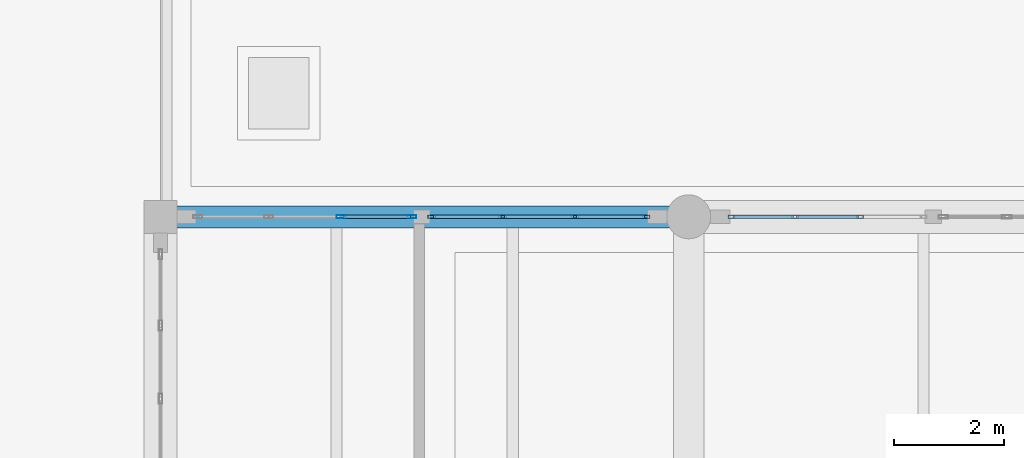
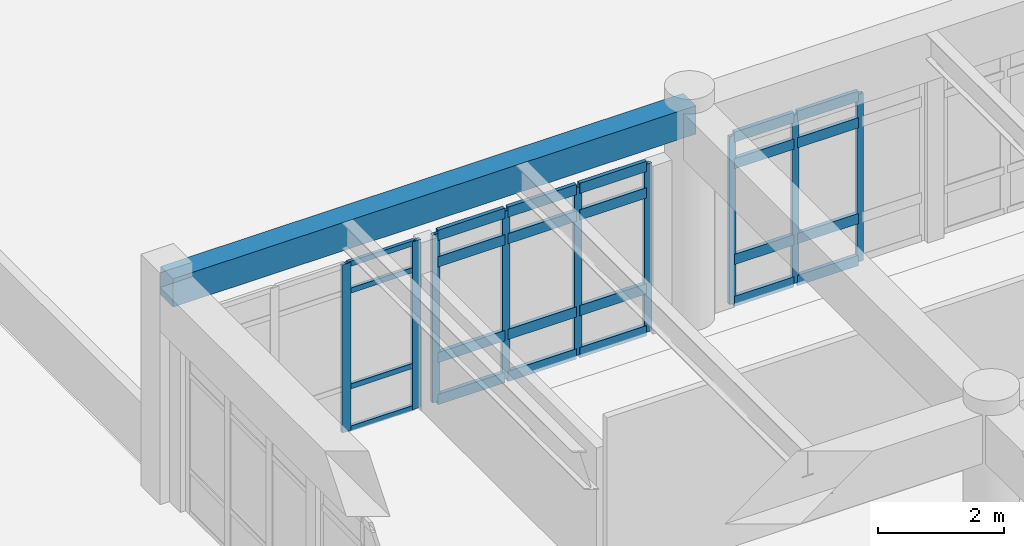
# One storey, part 58 of 109: 33 members, 1 beam, 3 elements without a shape of their own.
"""IFC4 building model written with IfcOpenShell, lengths in metres."""

from ifc_helpers import new_model, si_unit, direction, frame, origin, origin_2d, place, context, subcontext, project, spatial, rectangle, hollow_rectangle, extrude, material, layer, layer_set, material_profile, profile_set, type_object, element, aggregate, save


model = new_model("IFC4")

# Units and contexts
model_context = context("Model", 3, precision=1e-05, world=origin(), true_north=direction((0.0, 1.0)))
body_context = subcontext(model_context, "Body", "Model", "MODEL_VIEW")
ifc_project = project(units=[si_unit("LENGTHUNIT", "METRE"), si_unit("AREAUNIT", "SQUARE_METRE"), si_unit("VOLUMEUNIT", "CUBIC_METRE"), si_unit("PLANEANGLEUNIT", "RADIAN"), si_unit("MASSUNIT", "GRAM", prefix="KILO")], contexts=[model_context])

# Site, building, storey
site_placement = place(None, origin())
site = spatial("IfcSite", under=ifc_project, at=site_placement, CompositionType="ELEMENT")
building_placement = place(site_placement, origin())
building = spatial("IfcBuilding", under=site, at=building_placement, Name="Fikremerkos Civic Library", CompositionType="ELEMENT")
storey_placement = place(building_placement, frame((0.0, 0.0, 5.39990234375)))
storey = spatial("IfcBuildingStorey", under=building, at=storey_placement, Name="L01", CompositionType="ELEMENT", Elevation=5.39990234375)

# Curtain wall, members
ifc_material_1 = material(Name="Anodized aluminium Frame", Category="aluminium")
ifc_layer_1 = layer(ifc_material_1, 0.159912109375, Name="Anodized aluminium Frame")
ifc_layer_set_1 = layer_set([ifc_layer_1], Name="Anodized aluminium Frame")
curtain_wall_type_1 = type_object("IfcCurtainWallType", Name="Unitised curtain wall CW-14 4100x3200", PredefinedType="USERDEFINED", material=ifc_layer_set_1)
curtain_wall_1_placement = place(storey_placement, origin())
curtain_wall_1 = element("IfcCurtainWall", 1, at=curtain_wall_1_placement, inside=storey, type_object=curtain_wall_type_1, Name="Unitised curtain wall CW-14 L01 #104", ObjectType="UNITISED CURTAIN WALL", PredefinedType="USERDEFINED")
ifc_material_profile_1 = material_profile(ifc_material_1, hollow_rectangle(XDim=0.06005859375, YDim=0.159912109375, WallThickness=0.00390625, at=origin_2d()), Name="ALU 160x60x4")
ifc_profile_set_1 = profile_set([ifc_material_profile_1], Name="Anodized aluminium Frame")
member_type_1 = type_object("IfcMemberType", Name="Curtain mullion CWM-02 ALU 160x60x4", PredefinedType="MULLION", material=ifc_profile_set_1)
member_1_placement = place(storey_placement, frame((128.082763671875, 40.800048828125, 0.0), z_axis=(0.0, 0.0, 1.0), x_axis=(0.0, 1.0, 0.0)))
member_1 = element("IfcMember", 2, at=member_1_placement, type_object=member_type_1, Name="CW-14 mullion 3", PredefinedType="MULLION", context=body_context, shape_type="SweptSolid", body=[
    extrude(hollow_rectangle(XDim=0.06005859375, YDim=0.159912109375, WallThickness=0.00390625, at=origin_2d()), origin(), (0.0, 0.0, 1.0), 3.260009765625),
])
member_2_placement = place(storey_placement, frame((129.3701171875, 40.800048828125, 0.0), z_axis=(0.0, 0.0, 1.0), x_axis=(0.0, 1.0, 0.0)))
member_2 = element("IfcMember", 3, at=member_2_placement, type_object=member_type_1, Name="CW-14 mullion 4", PredefinedType="MULLION", context=body_context, shape_type="SweptSolid", body=[
    extrude(hollow_rectangle(XDim=0.06005859375, YDim=0.159912109375, WallThickness=0.00390625, at=origin_2d()), origin(), (0.0, 0.0, 1.0), 3.260009765625),
])

ifc_layer_2 = layer(ifc_material_1, 0.159912109375, Name="Anodized aluminium Frame")
ifc_layer_set_2 = layer_set([ifc_layer_2], Name="Anodized aluminium Frame")
curtain_wall_type_2 = type_object("IfcCurtainWallType", Name="Unitised curtain wall CW-15 2900x3600", PredefinedType="USERDEFINED", material=ifc_layer_set_2)
curtain_wall_2_placement = place(storey_placement, origin())
curtain_wall_2 = element("IfcCurtainWall", 4, at=curtain_wall_2_placement, inside=storey, type_object=curtain_wall_type_2, Name="Unitised curtain wall CW-15 L01 #105", ObjectType="UNITISED CURTAIN WALL", PredefinedType="USERDEFINED")
ifc_material_profile_2 = material_profile(ifc_material_1, hollow_rectangle(XDim=0.06005859375, YDim=0.139892578125, WallThickness=0.00390625, at=origin_2d()), Name="ALU 140x60x4")
ifc_profile_set_2 = profile_set([ifc_material_profile_2], Name="Anodized aluminium Frame")
member_type_2 = type_object("IfcMemberType", Name="Curtain mullion CWM-03 ALU 140x60x4", PredefinedType="MULLION", material=ifc_profile_set_2)
member_3_placement = place(storey_placement, frame((129.72998046875, 40.800048828125, 0.0), z_axis=(0.0, 0.0, 1.0), x_axis=(0.0, 1.0, 0.0)))
member_3 = element("IfcMember", 5, at=member_3_placement, type_object=member_type_2, Name="CW-15 mullion 1", PredefinedType="MULLION", context=body_context, shape_type="SweptSolid", body=[
    extrude(hollow_rectangle(XDim=0.06005859375, YDim=0.139892578125, WallThickness=0.00390625, at=origin_2d()), origin(), (0.0, 0.0, 1.0), 3.260009765625),
])
member_4_placement = place(storey_placement, frame((131.017333984375, 40.800048828125, 0.0), z_axis=(0.0, 0.0, 1.0), x_axis=(0.0, 1.0, 0.0)))
member_4 = element("IfcMember", 6, at=member_4_placement, type_object=member_type_2, Name="CW-15 mullion 2", PredefinedType="MULLION", context=body_context, shape_type="SweptSolid", body=[
    extrude(hollow_rectangle(XDim=0.06005859375, YDim=0.139892578125, WallThickness=0.00390625, at=origin_2d()), origin(), (0.0, 0.0, 1.0), 3.260009765625),
])
member_5_placement = place(storey_placement, frame((132.334716796875, 40.800048828125, 0.0), z_axis=(0.0, 0.0, 1.0), x_axis=(0.0, 1.0, 0.0)))
member_5 = element("IfcMember", 7, at=member_5_placement, type_object=member_type_2, Name="CW-15 mullion 3", PredefinedType="MULLION", context=body_context, shape_type="SweptSolid", body=[
    extrude(hollow_rectangle(XDim=0.06005859375, YDim=0.139892578125, WallThickness=0.00390625, at=origin_2d()), origin(), (0.0, 0.0, 1.0), 3.260009765625),
])
member_6_placement = place(storey_placement, frame((133.6220703125, 40.800048828125, 0.0), z_axis=(0.0, 0.0, 1.0), x_axis=(0.0, 1.0, 0.0)))
member_6 = element("IfcMember", 8, at=member_6_placement, type_object=member_type_2, Name="CW-15 mullion 4", PredefinedType="MULLION", context=body_context, shape_type="SweptSolid", body=[
    extrude(hollow_rectangle(XDim=0.06005859375, YDim=0.139892578125, WallThickness=0.00390625, at=origin_2d()), origin(), (0.0, 0.0, 1.0), 3.260009765625),
])

ifc_layer_3 = layer(ifc_material_1, 0.159912109375, Name="Anodized aluminium Frame")
ifc_layer_set_3 = layer_set([ifc_layer_3], Name="Anodized aluminium Frame")
curtain_wall_type_3 = type_object("IfcCurtainWallType", Name="Unitised curtain wall CW-16 3100x4100", PredefinedType="USERDEFINED", material=ifc_layer_set_3)
curtain_wall_3_placement = place(storey_placement, origin())
curtain_wall_3 = element("IfcCurtainWall", 9, at=curtain_wall_3_placement, inside=storey, type_object=curtain_wall_type_3, Name="Unitised curtain wall CW-16 L01 #106", ObjectType="UNITISED CURTAIN WALL", PredefinedType="USERDEFINED")
ifc_material_profile_3 = material_profile(ifc_material_1, hollow_rectangle(XDim=0.06005859375, YDim=0.1201171875, WallThickness=0.00390625, at=origin_2d()), Name="ALU 120x60x4")
ifc_profile_set_3 = profile_set([ifc_material_profile_3], Name="Anodized aluminium Frame")
member_type_3 = type_object("IfcMemberType", Name="Curtain mullion CWM-04 ALU 120x60x4", PredefinedType="MULLION", material=ifc_profile_set_3)
member_7_placement = place(storey_placement, frame((135.177978515625, 40.800048828125, 0.0), z_axis=(0.0, 0.0, 1.0), x_axis=(0.0, 1.0, 0.0)))
member_7 = element("IfcMember", 10, at=member_7_placement, type_object=member_type_3, Name="CW-16 mullion 1", PredefinedType="MULLION", context=body_context, shape_type="SweptSolid", body=[
    extrude(hollow_rectangle(XDim=0.06005859375, YDim=0.1201171875, WallThickness=0.00390625, at=origin_2d()), origin(), (0.0, 0.0, 1.0), 3.260009765625),
])
member_8_placement = place(storey_placement, frame((136.331787109375, 40.800048828125, 0.0), z_axis=(0.0, 0.0, 1.0), x_axis=(0.0, 1.0, 0.0)))
member_8 = element("IfcMember", 11, at=member_8_placement, type_object=member_type_3, Name="CW-16 mullion 2", PredefinedType="MULLION", context=body_context, shape_type="SweptSolid", body=[
    extrude(hollow_rectangle(XDim=0.06005859375, YDim=0.1201171875, WallThickness=0.00390625, at=origin_2d()), origin(), (0.0, 0.0, 1.0), 3.260009765625),
])
member_9_placement = place(storey_placement, frame((137.515625, 40.800048828125, 0.0), z_axis=(0.0, 0.0, 1.0), x_axis=(0.0, 1.0, 0.0)))
member_9 = element("IfcMember", 12, at=member_9_placement, type_object=member_type_3, Name="CW-16 mullion 3", PredefinedType="MULLION", context=body_context, shape_type="SweptSolid", body=[
    extrude(hollow_rectangle(XDim=0.06005859375, YDim=0.1201171875, WallThickness=0.00390625, at=origin_2d()), origin(), (0.0, 0.0, 1.0), 3.260009765625),
])

# Member
ifc_material_profile_4 = material_profile(ifc_material_1, hollow_rectangle(XDim=0.06005859375, YDim=0.10009765625, WallThickness=0.00390625, at=origin_2d()), Name="ALU 100x60x4")
ifc_profile_set_4 = profile_set([ifc_material_profile_4], Name="Anodized aluminium Frame")
member_type_4 = type_object("IfcMemberType", Name="Curtain transom CWT-03 ALU 100x60x4", PredefinedType="USERDEFINED", material=ifc_profile_set_4)
member_10_placement = place(storey_placement, frame((128.112548828125, 40.800048828125, 0.030029296875), z_axis=(1.0, 0.0, 0.0), x_axis=(0.0, 1.0, 0.0)))
member_10 = element("IfcMember", 13, at=member_10_placement, type_object=member_type_4, Name="CW-14 transom 3.1", ObjectType="TRANSOM", PredefinedType="USERDEFINED", context=body_context, shape_type="SweptSolid", body=[
    extrude(hollow_rectangle(XDim=0.06005859375, YDim=0.10009765625, WallThickness=0.00390625, at=origin_2d()), origin(), (0.0, 0.0, 1.0), 1.2275390625),
])

member_11_placement = place(storey_placement, frame((128.112548828125, 40.800048828125, 0.85009765625), z_axis=(1.0, 0.0, 0.0), x_axis=(0.0, 1.0, 0.0)))
member_11 = element("IfcMember", 14, at=member_11_placement, type_object=member_type_4, Name="CW-14 transom 3.2", ObjectType="TRANSOM", PredefinedType="USERDEFINED", context=body_context, shape_type="SweptSolid", body=[
    extrude(hollow_rectangle(XDim=0.06005859375, YDim=0.10009765625, WallThickness=0.00390625, at=origin_2d()), origin(), (0.0, 0.0, 1.0), 1.2275390625),
])

member_12_placement = place(storey_placement, frame((128.112548828125, 40.800048828125, 2.710205078125), z_axis=(1.0, 0.0, 0.0), x_axis=(0.0, 1.0, 0.0)))
member_12 = element("IfcMember", 15, at=member_12_placement, type_object=member_type_4, Name="CW-14 transom 3.3", ObjectType="TRANSOM", PredefinedType="USERDEFINED", context=body_context, shape_type="SweptSolid", body=[
    extrude(hollow_rectangle(XDim=0.06005859375, YDim=0.10009765625, WallThickness=0.00390625, at=origin_2d()), origin(), (0.0, 0.0, 1.0), 1.2275390625),
])

member_13_placement = place(storey_placement, frame((128.112548828125, 40.800048828125, 3.22998046875), z_axis=(1.0, 0.0, 0.0), x_axis=(0.0, 1.0, 0.0)))
member_13 = element("IfcMember", 16, at=member_13_placement, type_object=member_type_4, Name="CW-14 transom 3.4", ObjectType="TRANSOM", PredefinedType="USERDEFINED", context=body_context, shape_type="SweptSolid", body=[
    extrude(hollow_rectangle(XDim=0.06005859375, YDim=0.10009765625, WallThickness=0.00390625, at=origin_2d()), origin(), (0.0, 0.0, 1.0), 1.2275390625),
])

aggregate(curtain_wall_1, [member_1, member_2, member_10, member_11, member_12, member_13])

ifc_material_profile_5 = material_profile(ifc_material_1, hollow_rectangle(XDim=0.070068359375, YDim=0.199951171875, WallThickness=0.0048828125, at=origin_2d()), Name="ALU 200x70x5")
ifc_profile_set_5 = profile_set([ifc_material_profile_5], Name="Anodized aluminium Frame")
member_type_5 = type_object("IfcMemberType", Name="Curtain transom CWT-04 ALU 200x70x5", PredefinedType="USERDEFINED", material=ifc_profile_set_5)
member_14_placement = place(storey_placement, frame((129.760009765625, 40.800048828125, 0.03515625), z_axis=(1.0, 0.0, 0.0), x_axis=(0.0, 1.0, 0.0)))
member_14 = element("IfcMember", 17, at=member_14_placement, type_object=member_type_5, Name="CW-15 transom 1.1", ObjectType="TRANSOM", PredefinedType="USERDEFINED", context=body_context, shape_type="SweptSolid", body=[
    extrude(hollow_rectangle(XDim=0.070068359375, YDim=0.199951171875, WallThickness=0.0048828125, at=origin_2d()), origin(), (0.0, 0.0, 1.0), 1.227294921875),
])

member_15_placement = place(storey_placement, frame((129.760009765625, 40.800048828125, 0.85009765625), z_axis=(1.0, 0.0, 0.0), x_axis=(0.0, 1.0, 0.0)))
member_15 = element("IfcMember", 18, at=member_15_placement, type_object=member_type_5, Name="CW-15 transom 1.2", ObjectType="TRANSOM", PredefinedType="USERDEFINED", context=body_context, shape_type="SweptSolid", body=[
    extrude(hollow_rectangle(XDim=0.070068359375, YDim=0.199951171875, WallThickness=0.0048828125, at=origin_2d()), origin(), (0.0, 0.0, 1.0), 1.227294921875),
])

member_16_placement = place(storey_placement, frame((129.760009765625, 40.800048828125, 2.710205078125), z_axis=(1.0, 0.0, 0.0), x_axis=(0.0, 1.0, 0.0)))
member_16 = element("IfcMember", 19, at=member_16_placement, type_object=member_type_5, Name="CW-15 transom 1.3", ObjectType="TRANSOM", PredefinedType="USERDEFINED", context=body_context, shape_type="SweptSolid", body=[
    extrude(hollow_rectangle(XDim=0.070068359375, YDim=0.199951171875, WallThickness=0.0048828125, at=origin_2d()), origin(), (0.0, 0.0, 1.0), 1.227294921875),
])

member_17_placement = place(storey_placement, frame((129.760009765625, 40.800048828125, 3.22509765625), z_axis=(1.0, 0.0, 0.0), x_axis=(0.0, 1.0, 0.0)))
member_17 = element("IfcMember", 20, at=member_17_placement, type_object=member_type_5, Name="CW-15 transom 1.4", ObjectType="TRANSOM", PredefinedType="USERDEFINED", context=body_context, shape_type="SweptSolid", body=[
    extrude(hollow_rectangle(XDim=0.070068359375, YDim=0.199951171875, WallThickness=0.0048828125, at=origin_2d()), origin(), (0.0, 0.0, 1.0), 1.227294921875),
])

member_18_placement = place(storey_placement, frame((131.04736328125, 40.800048828125, 0.03515625), z_axis=(1.0, 0.0, 0.0), x_axis=(0.0, 1.0, 0.0)))
member_18 = element("IfcMember", 21, at=member_18_placement, type_object=member_type_5, Name="CW-15 transom 2.1", ObjectType="TRANSOM", PredefinedType="USERDEFINED", context=body_context, shape_type="SweptSolid", body=[
    extrude(hollow_rectangle(XDim=0.070068359375, YDim=0.199951171875, WallThickness=0.0048828125, at=origin_2d()), origin(), (0.0, 0.0, 1.0), 1.25732421875),
])

member_19_placement = place(storey_placement, frame((131.04736328125, 40.800048828125, 0.85009765625), z_axis=(1.0, 0.0, 0.0), x_axis=(0.0, 1.0, 0.0)))
member_19 = element("IfcMember", 22, at=member_19_placement, type_object=member_type_5, Name="CW-15 transom 2.2", ObjectType="TRANSOM", PredefinedType="USERDEFINED", context=body_context, shape_type="SweptSolid", body=[
    extrude(hollow_rectangle(XDim=0.070068359375, YDim=0.199951171875, WallThickness=0.0048828125, at=origin_2d()), origin(), (0.0, 0.0, 1.0), 1.25732421875),
])

member_20_placement = place(storey_placement, frame((131.04736328125, 40.800048828125, 2.710205078125), z_axis=(1.0, 0.0, 0.0), x_axis=(0.0, 1.0, 0.0)))
member_20 = element("IfcMember", 23, at=member_20_placement, type_object=member_type_5, Name="CW-15 transom 2.3", ObjectType="TRANSOM", PredefinedType="USERDEFINED", context=body_context, shape_type="SweptSolid", body=[
    extrude(hollow_rectangle(XDim=0.070068359375, YDim=0.199951171875, WallThickness=0.0048828125, at=origin_2d()), origin(), (0.0, 0.0, 1.0), 1.25732421875),
])

member_21_placement = place(storey_placement, frame((131.04736328125, 40.800048828125, 3.22509765625), z_axis=(1.0, 0.0, 0.0), x_axis=(0.0, 1.0, 0.0)))
member_21 = element("IfcMember", 24, at=member_21_placement, type_object=member_type_5, Name="CW-15 transom 2.4", ObjectType="TRANSOM", PredefinedType="USERDEFINED", context=body_context, shape_type="SweptSolid", body=[
    extrude(hollow_rectangle(XDim=0.070068359375, YDim=0.199951171875, WallThickness=0.0048828125, at=origin_2d()), origin(), (0.0, 0.0, 1.0), 1.25732421875),
])

member_22_placement = place(storey_placement, frame((132.36474609375, 40.800048828125, 0.03515625), z_axis=(1.0, 0.0, 0.0), x_axis=(0.0, 1.0, 0.0)))
member_22 = element("IfcMember", 25, at=member_22_placement, type_object=member_type_5, Name="CW-15 transom 3.1", ObjectType="TRANSOM", PredefinedType="USERDEFINED", context=body_context, shape_type="SweptSolid", body=[
    extrude(hollow_rectangle(XDim=0.070068359375, YDim=0.199951171875, WallThickness=0.0048828125, at=origin_2d()), origin(), (0.0, 0.0, 1.0), 1.227294921875),
])

member_23_placement = place(storey_placement, frame((132.36474609375, 40.800048828125, 0.85009765625), z_axis=(1.0, 0.0, 0.0), x_axis=(0.0, 1.0, 0.0)))
member_23 = element("IfcMember", 26, at=member_23_placement, type_object=member_type_5, Name="CW-15 transom 3.2", ObjectType="TRANSOM", PredefinedType="USERDEFINED", context=body_context, shape_type="SweptSolid", body=[
    extrude(hollow_rectangle(XDim=0.070068359375, YDim=0.199951171875, WallThickness=0.0048828125, at=origin_2d()), origin(), (0.0, 0.0, 1.0), 1.227294921875),
])

member_24_placement = place(storey_placement, frame((132.36474609375, 40.800048828125, 2.710205078125), z_axis=(1.0, 0.0, 0.0), x_axis=(0.0, 1.0, 0.0)))
member_24 = element("IfcMember", 27, at=member_24_placement, type_object=member_type_5, Name="CW-15 transom 3.3", ObjectType="TRANSOM", PredefinedType="USERDEFINED", context=body_context, shape_type="SweptSolid", body=[
    extrude(hollow_rectangle(XDim=0.070068359375, YDim=0.199951171875, WallThickness=0.0048828125, at=origin_2d()), origin(), (0.0, 0.0, 1.0), 1.227294921875),
])

member_25_placement = place(storey_placement, frame((132.36474609375, 40.800048828125, 3.22509765625), z_axis=(1.0, 0.0, 0.0), x_axis=(0.0, 1.0, 0.0)))
member_25 = element("IfcMember", 28, at=member_25_placement, type_object=member_type_5, Name="CW-15 transom 3.4", ObjectType="TRANSOM", PredefinedType="USERDEFINED", context=body_context, shape_type="SweptSolid", body=[
    extrude(hollow_rectangle(XDim=0.070068359375, YDim=0.199951171875, WallThickness=0.0048828125, at=origin_2d()), origin(), (0.0, 0.0, 1.0), 1.227294921875),
])

aggregate(curtain_wall_2, [member_3, member_4, member_5, member_6, member_14, member_15, member_16, member_17, member_18, member_19, member_20, member_21, member_22, member_23, member_24, member_25])

member_26_placement = place(storey_placement, frame((135.2080078125, 40.800048828125, 0.03515625), z_axis=(1.0, 0.0, 0.0), x_axis=(0.0, 1.0, 0.0)))
member_26 = element("IfcMember", 29, at=member_26_placement, type_object=member_type_5, Name="CW-16 transom 1.1", ObjectType="TRANSOM", PredefinedType="USERDEFINED", context=body_context, shape_type="SweptSolid", body=[
    extrude(hollow_rectangle(XDim=0.070068359375, YDim=0.199951171875, WallThickness=0.0048828125, at=origin_2d()), origin(), (0.0, 0.0, 1.0), 1.09375),
])

member_27_placement = place(storey_placement, frame((135.2080078125, 40.800048828125, 0.85009765625), z_axis=(1.0, 0.0, 0.0), x_axis=(0.0, 1.0, 0.0)))
member_27 = element("IfcMember", 30, at=member_27_placement, type_object=member_type_5, Name="CW-16 transom 1.2", ObjectType="TRANSOM", PredefinedType="USERDEFINED", context=body_context, shape_type="SweptSolid", body=[
    extrude(hollow_rectangle(XDim=0.070068359375, YDim=0.199951171875, WallThickness=0.0048828125, at=origin_2d()), origin(), (0.0, 0.0, 1.0), 1.09375),
])

member_28_placement = place(storey_placement, frame((135.2080078125, 40.800048828125, 2.710205078125), z_axis=(1.0, 0.0, 0.0), x_axis=(0.0, 1.0, 0.0)))
member_28 = element("IfcMember", 31, at=member_28_placement, type_object=member_type_5, Name="CW-16 transom 1.3", ObjectType="TRANSOM", PredefinedType="USERDEFINED", context=body_context, shape_type="SweptSolid", body=[
    extrude(hollow_rectangle(XDim=0.070068359375, YDim=0.199951171875, WallThickness=0.0048828125, at=origin_2d()), origin(), (0.0, 0.0, 1.0), 1.09375),
])

member_29_placement = place(storey_placement, frame((135.2080078125, 40.800048828125, 3.22509765625), z_axis=(1.0, 0.0, 0.0), x_axis=(0.0, 1.0, 0.0)))
member_29 = element("IfcMember", 32, at=member_29_placement, type_object=member_type_5, Name="CW-16 transom 1.4", ObjectType="TRANSOM", PredefinedType="USERDEFINED", context=body_context, shape_type="SweptSolid", body=[
    extrude(hollow_rectangle(XDim=0.070068359375, YDim=0.199951171875, WallThickness=0.0048828125, at=origin_2d()), origin(), (0.0, 0.0, 1.0), 1.09375),
])

member_30_placement = place(storey_placement, frame((136.36181640625, 40.800048828125, 0.03515625), z_axis=(1.0, 0.0, 0.0), x_axis=(0.0, 1.0, 0.0)))
member_30 = element("IfcMember", 33, at=member_30_placement, type_object=member_type_5, Name="CW-16 transom 2.1", ObjectType="TRANSOM", PredefinedType="USERDEFINED", context=body_context, shape_type="SweptSolid", body=[
    extrude(hollow_rectangle(XDim=0.070068359375, YDim=0.199951171875, WallThickness=0.0048828125, at=origin_2d()), origin(), (0.0, 0.0, 1.0), 1.123779296875),
])

member_31_placement = place(storey_placement, frame((136.36181640625, 40.800048828125, 0.85009765625), z_axis=(1.0, 0.0, 0.0), x_axis=(0.0, 1.0, 0.0)))
member_31 = element("IfcMember", 34, at=member_31_placement, type_object=member_type_5, Name="CW-16 transom 2.2", ObjectType="TRANSOM", PredefinedType="USERDEFINED", context=body_context, shape_type="SweptSolid", body=[
    extrude(hollow_rectangle(XDim=0.070068359375, YDim=0.199951171875, WallThickness=0.0048828125, at=origin_2d()), origin(), (0.0, 0.0, 1.0), 1.123779296875),
])

member_32_placement = place(storey_placement, frame((136.36181640625, 40.800048828125, 2.710205078125), z_axis=(1.0, 0.0, 0.0), x_axis=(0.0, 1.0, 0.0)))
member_32 = element("IfcMember", 35, at=member_32_placement, type_object=member_type_5, Name="CW-16 transom 2.3", ObjectType="TRANSOM", PredefinedType="USERDEFINED", context=body_context, shape_type="SweptSolid", body=[
    extrude(hollow_rectangle(XDim=0.070068359375, YDim=0.199951171875, WallThickness=0.0048828125, at=origin_2d()), origin(), (0.0, 0.0, 1.0), 1.123779296875),
])

member_33_placement = place(storey_placement, frame((136.36181640625, 40.800048828125, 3.22509765625), z_axis=(1.0, 0.0, 0.0), x_axis=(0.0, 1.0, 0.0)))
member_33 = element("IfcMember", 36, at=member_33_placement, type_object=member_type_5, Name="CW-16 transom 2.4", ObjectType="TRANSOM", PredefinedType="USERDEFINED", context=body_context, shape_type="SweptSolid", body=[
    extrude(hollow_rectangle(XDim=0.070068359375, YDim=0.199951171875, WallThickness=0.0048828125, at=origin_2d()), origin(), (0.0, 0.0, 1.0), 1.123779296875),
])

aggregate(curtain_wall_3, [member_7, member_8, member_9, member_26, member_27, member_28, member_29, member_30, member_31, member_32, member_33])

# Beam
ifc_material_2 = material(Name="Concrete C40/50", Category="concrete")
ifc_material_profile_6 = material_profile(ifc_material_2, rectangle(XDim=0.39990234375, YDim=0.550048828125, at=origin_2d()), Name="RC 400x550")
ifc_profile_set_6 = profile_set([ifc_material_profile_6], Name="Concrete C40/50")
beam_type = type_object("IfcBeamType", Name="Primary girder BM-26 RC 400x550", PredefinedType="BEAM", material=ifc_profile_set_6)
beam_placement = place(storey_placement, frame((124.800048828125, 40.800048828125, 3.945068359375), z_axis=(1.0, 0.0, 0.0), x_axis=(0.0, 1.0, 0.0)))
element("IfcBeam", 37, at=beam_placement, inside=storey, type_object=beam_type, Name="Primary girder BM-26 L01 grid H", PredefinedType="BEAM", context=body_context, shape_type="SweptSolid", body=[
    extrude(rectangle(XDim=0.39990234375, YDim=0.550048828125, at=origin_2d()), origin(), (0.0, 0.0, 1.0), 9.599853515625),
])

save(model, "model.ifc")
